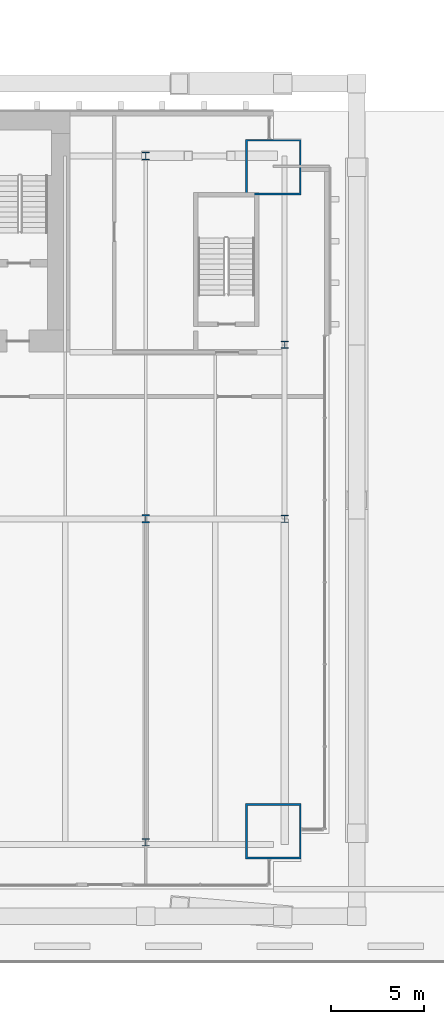
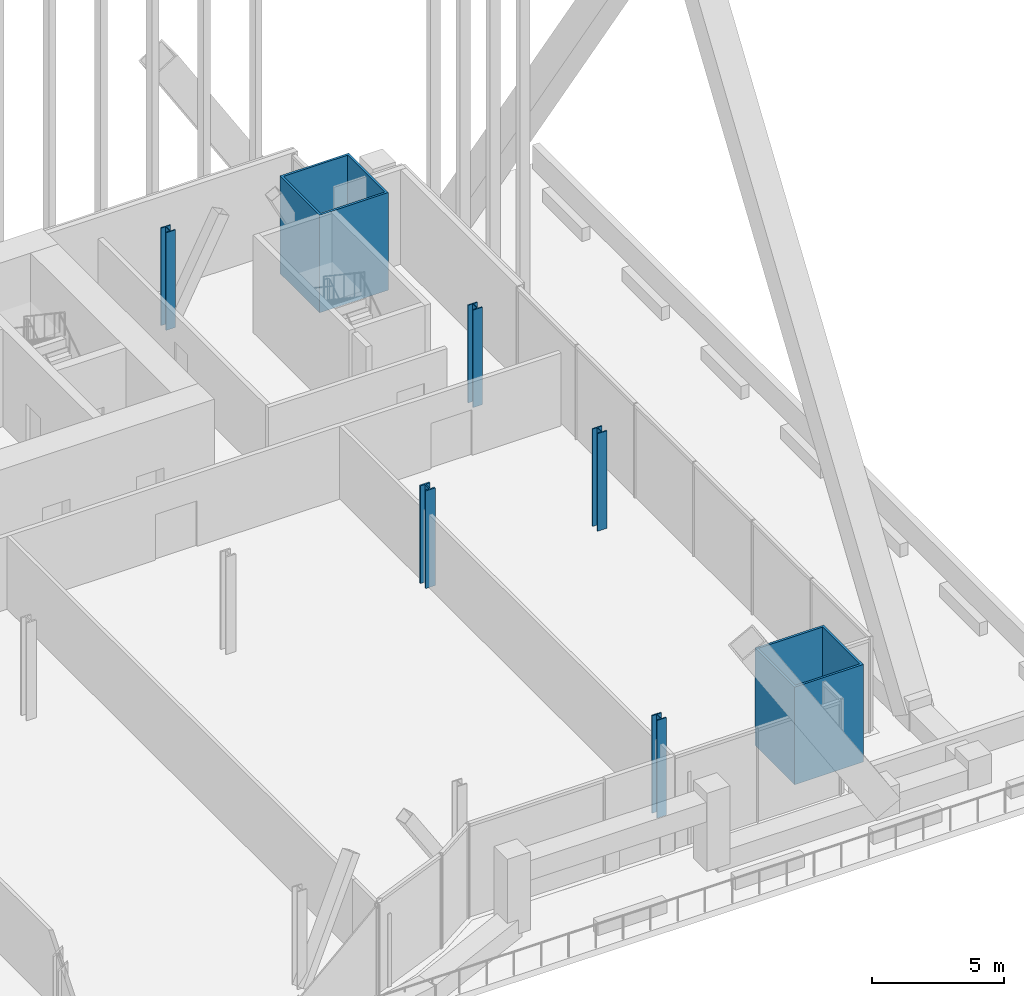
# One storey, part 3 of 29: 7 columns.
"""IFC4 building model written with IfcOpenShell, lengths in metres."""

from ifc_helpers import new_model, si_unit, direction, frame, origin, origin_2d, place, context, subcontext, project, spatial, hollow_rectangle, i_section, extrude, material, material_profile, profile_set, type_object, element, save


model = new_model("IFC4")

# Units and contexts
model_context = context("Model", 3, precision=1e-05, world=origin(), true_north=direction((0.0, 1.0)))
body_context = subcontext(model_context, "Body", "Model", "MODEL_VIEW")
ifc_project = project(units=[si_unit("LENGTHUNIT", "METRE"), si_unit("AREAUNIT", "SQUARE_METRE"), si_unit("VOLUMEUNIT", "CUBIC_METRE"), si_unit("PLANEANGLEUNIT", "RADIAN"), si_unit("MASSUNIT", "GRAM", prefix="KILO")], contexts=[model_context])

# Site, building, storey
site_placement = place(None, origin())
site = spatial("IfcSite", under=ifc_project, at=site_placement, CompositionType="ELEMENT")
building_placement = place(site_placement, origin())
building = spatial("IfcBuilding", under=site, at=building_placement, Name="Bicima Exchange Tower", CompositionType="ELEMENT")
storey_placement = place(building_placement, frame((0.0, 0.0, 35.0)))
storey = spatial("IfcBuildingStorey", under=building, at=storey_placement, Name="L06", CompositionType="ELEMENT", Elevation=35.0)

# Columns
ifc_material_1 = material(Name="Steel ASTM A992 Gr 50", Category="steel")
ifc_material_profile_1 = material_profile(ifc_material_1, i_section(OverallWidth=0.419189453125, OverallDepth=0.45458984375, WebThickness=0.042236328125, FlangeThickness=0.067626953125, at=origin_2d()))
ifc_profile_set_1 = profile_set([ifc_material_profile_1], Name="Steel ASTM A992 Gr 50")
column_type_1 = type_object("IfcColumnType", Name="Interior column W14x370", PredefinedType="COLUMN", material=ifc_profile_set_1)
column_placement = place(storey_placement, frame((26.10009765625, -22.0, 0.0), z_axis=(0.0, 0.0, 1.0), x_axis=(1.0, 0.0, 0.0)))
element("IfcColumn", 1, at=column_placement, inside=storey, type_object=column_type_1, Name="Interior column interior+26.1i", PredefinedType="COLUMN", context=body_context, shape_type="SweptSolid", body=[
    extrude(i_section(OverallWidth=0.419189453125, OverallDepth=0.45458984375, WebThickness=0.042236328125, FlangeThickness=0.067626953125, at=origin_2d()), origin(), (0.0, 0.0, 1.0), 4.5),
])
ifc_material_2 = material(Name="Steel ASTM A572 Gr 50", Category="steel")
ifc_material_profile_2 = material_profile(ifc_material_2, hollow_rectangle(XDim=3.0, YDim=3.0, WallThickness=0.10009765625, at=origin_2d()))
ifc_profile_set_2 = profile_set([ifc_material_profile_2], Name="Steel ASTM A572 Gr 50")
column_type_2 = type_object("IfcColumnType", Name="Mega column BOX 3000x3000x100", PredefinedType="COLUMN", material=ifc_profile_set_2)
for number, where, z_axis, x_axis, name in (
    (2, (33.0, -38.8779296875, 0.0), (0.0, 0.0, 1.0), (1.0, 0.0, 0.0), "Mega column mega+33.0f"),
    (3, (33.0, -3.0, 0.0), (0.0, 0.0, 1.0), (1.0, 0.0, 0.0), "Mega column mega+33.0r"),
):
    element("IfcColumn", number, at=place(storey_placement, frame(where, z_axis=z_axis, x_axis=x_axis)), inside=storey, type_object=column_type_2, Name=name, PredefinedType="COLUMN", context=body_context, shape_type="SweptSolid", body=[
        extrude(hollow_rectangle(XDim=3.0, YDim=3.0, WallThickness=0.10009765625, at=origin_2d()), origin(), (0.0, 0.0, 1.0), 4.5),
    ])
ifc_material_profile_3 = material_profile(ifc_material_1, i_section(OverallWidth=0.406494140625, OverallDepth=0.41650390625, WebThickness=0.030029296875, FlangeThickness=0.048095703125, at=origin_2d()))
ifc_profile_set_3 = profile_set([ifc_material_profile_3], Name="Steel ASTM A992 Gr 50")
column_type_3 = type_object("IfcColumnType", Name="Perimeter column W14x257", PredefinedType="COLUMN", material=ifc_profile_set_3)
for number, where, z_axis, x_axis, name in (
    (4, (26.10009765625, -39.47802734375, 0.0), (0.0, 0.0, 1.0), (1.0, 0.0, 0.0), "Perimeter column grav+26.1f"),
    (5, (26.10009765625, -2.39990234375, 0.0), (0.0, 0.0, 1.0), (1.0, 0.0, 0.0), "Perimeter column grav+26.1r"),
    (6, (33.60009765625, -12.60009765625, 0.0), (0.0, 0.0, 1.0), (1.0, 0.0, 0.0), "End column end+33.6e"),
    (7, (33.60009765625, -22.0, 0.0), (0.0, 0.0, 1.0), (1.0, 0.0, 0.0), "End column end+33.6e"),
):
    element("IfcColumn", number, at=place(storey_placement, frame(where, z_axis=z_axis, x_axis=x_axis)), inside=storey, type_object=column_type_3, Name=name, PredefinedType="COLUMN", context=body_context, shape_type="SweptSolid", body=[
        extrude(i_section(OverallWidth=0.406494140625, OverallDepth=0.41650390625, WebThickness=0.030029296875, FlangeThickness=0.048095703125, at=origin_2d()), origin(), (0.0, 0.0, 1.0), 4.5),
    ])

save(model, "model.ifc")
